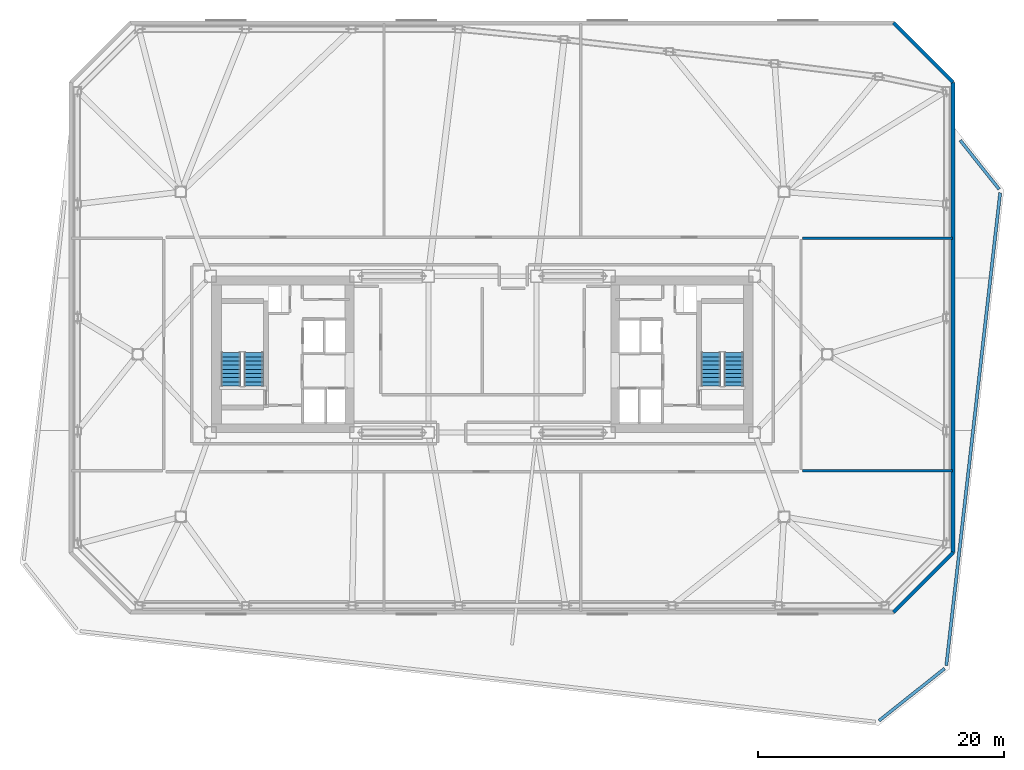
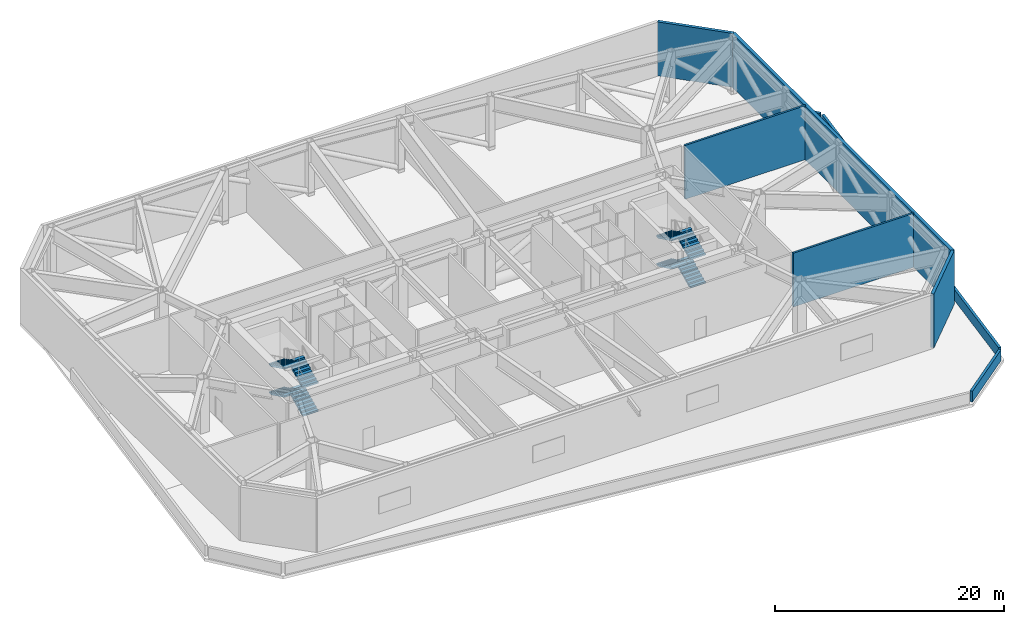
# One storey, part 6 of 12: 8 stair flights, 8 walls, 2 elements without a shape of their own.
"""IFC4 building model written with IfcOpenShell, lengths in metres."""

from ifc_helpers import new_model, si_unit, direction, frame, frame_2d, origin, place, context, subcontext, project, spatial, polyline, rectangle, outline, extrude, material, layer, layer_set, type_object, element, aggregate, save


model = new_model("IFC4")

# Units and contexts
model_context = context("Model", 3, precision=1e-05, world=origin(), true_north=direction((0.0, 1.0)))
body_context = subcontext(model_context, "Body", "Model", "MODEL_VIEW")
ifc_project = project(units=[si_unit("LENGTHUNIT", "METRE"), si_unit("AREAUNIT", "SQUARE_METRE"), si_unit("VOLUMEUNIT", "CUBIC_METRE"), si_unit("PLANEANGLEUNIT", "RADIAN"), si_unit("MASSUNIT", "GRAM", prefix="KILO")], contexts=[model_context])

# Site, building, storey
site_placement = place(None, origin())
site = spatial("IfcSite", under=ifc_project, at=site_placement, CompositionType="ELEMENT")
building_placement = place(site_placement, origin())
building = spatial("IfcBuilding", under=site, at=building_placement, Name="Tavrogorsk Clinical Tower", CompositionType="ELEMENT")
storey_placement = place(building_placement, frame((0.0, 0.0, 146.199951171875)))
storey = spatial("IfcBuildingStorey", under=building, at=storey_placement, Name="L33", CompositionType="ELEMENT", Elevation=146.199951171875)

# Walls
ifc_material_1 = material(Name="Concrete B60", Category="concrete")
ifc_layer_1 = layer(ifc_material_1, 0.199951171875)
ifc_layer_set_1 = layer_set([ifc_layer_1], Name="Concrete B60")
wall_type_1 = type_object("IfcWallType", Name="CoreFireWall_200", PredefinedType="SOLIDWALL", material=ifc_layer_set_1)
for number, where, z_axis, x_axis, name in (
    (1, (25.985107421875, -9.449951171875, 0.0), (0.0, 0.0, 1.0), (1.0, 0.0, 0.0), "L33 Refuge & Plant Fire Wall 2"),
    (2, (25.985107421875, 9.449951171875, 0.0), (0.0, 0.0, 1.0), (1.0, 0.0, 0.0), "L33 Refuge & Plant Fire Wall 4"),
):
    element("IfcWall", number, at=place(storey_placement, frame(where, z_axis=z_axis, x_axis=x_axis)), inside=storey, type_object=wall_type_1, Name=name, PredefinedType="SOLIDWALL", context=body_context, shape_type="SweptSolid", body=[
        extrude(rectangle(XDim=12.19482421875, YDim=0.199951171875, at=frame_2d((6.097412109375, 0.0))), origin(), (0.0, 0.0, 1.0), 5.739990234375),
    ])
ifc_material_2 = material(Name="Precast concrete B45 acoustic plenum wall", Category="concrete")
ifc_layer_2 = layer(ifc_material_2, 0.320068359375)
ifc_layer_set_2 = layer_set([ifc_layer_2], Name="Precast concrete B45 acoustic plenum wall")
wall_type_2 = type_object("IfcWallType", Name="PlantLouvreWall_320", PredefinedType="STANDARD", material=ifc_layer_set_2)
wall_1_placement = place(storey_placement, frame((38.239990234375, -16.10009765625, 0.0), z_axis=(0.0, 0.0, 1.0), x_axis=(0.0, 1.0, 0.0)))
element("IfcWall", 3, at=wall_1_placement, inside=storey, type_object=wall_type_2, Name="L33 E Pleated Limestone Wing Wall", PredefinedType="STANDARD", context=body_context, shape_type="SweptSolid", body=[
    extrude(rectangle(XDim=38.2001953125, YDim=0.320068359375, at=frame_2d((19.10009765625, 0.0))), origin(), (0.0, 0.0, 1.0), 5.739990234375),
])
ifc_material_3 = material(Name="Concrete B60", Category="concrete")
ifc_layer_3 = layer(ifc_material_3, 0.25)
ifc_layer_set_3 = layer_set([ifc_layer_3], Name="Concrete B60")
wall_type_3 = type_object("IfcWallType", Name="RoofParapetWall_250", PredefinedType="PARAPET", material=ifc_layer_set_3)
wall_2_placement = place(storey_placement, frame((38.819580078125, 17.3916015625, 0.0), z_axis=(0.0, 0.0, 1.0), x_axis=(0.622536938406, -0.782590416706, 0.0)))
element("IfcWall", 4, at=wall_2_placement, inside=storey, type_object=wall_type_3, Name="L33 Setback Coping Parapet 3", PredefinedType="PARAPET", context=body_context, shape_type="SweptSolid", body=[
    extrude(rectangle(XDim=5.08251953125, YDim=0.25, at=frame_2d((2.541259765625, 0.0))), origin(), (0.0, 0.0, 1.0), 1.150146484375),
])
wall_3_placement = place(storey_placement, frame((42.065185546875, 13.1298828125, 0.0), z_axis=(0.0, 0.0, 1.0), x_axis=(-0.113207191428, -0.993571402471, 0.0)))
element("IfcWall", 5, at=wall_3_placement, inside=storey, type_object=wall_type_3, Name="L33 Setback Coping Parapet 4", PredefinedType="PARAPET", context=body_context, shape_type="SweptSolid", body=[
    extrude(rectangle(XDim=38.648193359375, YDim=0.25, at=frame_2d((19.32421875, 0.0))), origin(), (0.0, 0.0, 1.0), 1.150146484375),
])
wall_4_placement = place(storey_placement, frame((37.546630859375, -25.5283203125, 0.0), z_axis=(0.0, 0.0, 1.0), x_axis=(-0.782602643849, -0.622521567369, 0.0)))
element("IfcWall", 6, at=wall_4_placement, inside=storey, type_object=wall_type_3, Name="L33 Setback Coping Parapet 5", PredefinedType="PARAPET", context=body_context, shape_type="SweptSolid", body=[
    extrude(rectangle(XDim=6.802001953125, YDim=0.25, at=frame_2d((3.40087890625, 0.0))), origin(), (0.0, 0.0, 1.0), 1.150146484375),
])
ifc_material_4 = material(Name="Precast concrete B45 with mineral wool", Category="concrete")
ifc_layer_4 = layer(ifc_material_4, 0.300048828125)
ifc_layer_set_4 = layer_set([ifc_layer_4], Name="Precast concrete B45 with mineral wool")
wall_type_4 = type_object("IfcWallType", Name="SpandrelBackWall_300", PredefinedType="STANDARD", material=ifc_layer_set_4)
for number, where, z_axis, x_axis, name in (
    (7, (33.39990234375, -20.93994140625, 0.0), (0.0, 0.0, 1.0), (0.707124615126, 0.707088946797, 0.0), "L33 Chamfered Corner Wall 1"),
    (8, (38.239990234375, 22.10009765625, 0.0), (0.0, 0.0, 1.0), (-0.707124615126, 0.707088946797, 0.0), "L33 Chamfered Corner Wall 2"),
):
    element("IfcWall", number, at=place(storey_placement, frame(where, z_axis=z_axis, x_axis=x_axis)), inside=storey, type_object=wall_type_4, Name=name, PredefinedType="STANDARD", context=body_context, shape_type="SweptSolid", body=[
        extrude(rectangle(XDim=6.8447265625, YDim=0.300048828125, at=frame_2d((3.42236328125, 0.0))), origin(), (0.0, 0.0, 1.0), 5.739990234375),
    ])

# Stair, stair flights
ifc_material_5 = material(Name="Concrete B60", Category="concrete")
stair_type = type_object("IfcStairType", Name="CoreStairAssembly", PredefinedType="HALF_TURN_STAIR", material=ifc_material_5)
stair_1_placement = place(storey_placement, origin())
stair_1 = element("IfcStair", 9, at=stair_1_placement, inside=storey, type_object=stair_type, Name="L33 ST-W", PredefinedType="HALF_TURN_STAIR")
ifc_material_6 = material(Name="Concrete B60", Category="concrete")
stair_flight_type = type_object("IfcStairFlightType", Name="CoreStairFlight", PredefinedType="STRAIGHT", material=ifc_material_6)
stair_flight_1_placement = place(storey_placement, frame((-18.574951171875, -2.574951171875, 0.0), z_axis=(0.0, 0.0, 1.0), x_axis=(0.0, 1.0, 0.0)))
stair_flight_1 = element("IfcStairFlight", 10, at=stair_flight_1_placement, type_object=stair_flight_type, Name="ST-W flight 1", NumberOfRisers=9, NumberOfTreads=8, PredefinedType="STRAIGHT", RiserHeight=0.166666667, TreadLength=0.34, context=body_context, shape_type="SweptSolid", body=[
    extrude(outline(polyline([(0.0, 0.0), (0.0, 0.166748046875), (0.340087890625, 0.166748046875), (0.340087890625, 0.333251953125), (0.679931640625, 0.333251953125), (0.679931640625, 0.5), (1.02001953125, 0.5), (1.02001953125, 0.666748046875), (1.360107421875, 0.666748046875), (1.360107421875, 0.833251953125), (1.699951171875, 0.833251953125), (1.699951171875, 1.0), (2.0400390625, 1.0), (2.0400390625, 1.166748046875), (2.3798828125, 1.166748046875), (2.3798828125, 1.333251953125), (2.719970703125, 1.333251953125), (2.719970703125, 1.5), (2.719970703125, 1.16650390625), (0.340576171875, 0.0), (0.0, 0.0)])), frame((0.0, 0.77490234375, 0.0), z_axis=(0.0, -1.0, 0.0), x_axis=(1.0, 0.0, 0.0)), (0.0, 0.0, 1.0), 1.550048828125),
])
stair_flight_2_placement = place(storey_placement, frame((-20.425048828125, 0.14501953125, 1.5), z_axis=(0.0, 0.0, 1.0), x_axis=(0.0, -1.0, 0.0)))
stair_flight_2 = element("IfcStairFlight", 11, at=stair_flight_2_placement, type_object=stair_flight_type, Name="ST-W flight 2", NumberOfRisers=9, NumberOfTreads=8, PredefinedType="STRAIGHT", RiserHeight=0.166666667, TreadLength=0.34, context=body_context, shape_type="SweptSolid", body=[
    extrude(outline(polyline([(0.0, 0.0), (0.0, 0.166748046875), (0.340087890625, 0.166748046875), (0.340087890625, 0.333251953125), (0.679931640625, 0.333251953125), (0.679931640625, 0.5), (1.02001953125, 0.5), (1.02001953125, 0.666748046875), (1.360107421875, 0.666748046875), (1.360107421875, 0.833251953125), (1.699951171875, 0.833251953125), (1.699951171875, 1.0), (2.0400390625, 1.0), (2.0400390625, 1.166748046875), (2.3798828125, 1.166748046875), (2.3798828125, 1.333251953125), (2.719970703125, 1.333251953125), (2.719970703125, 1.5), (2.719970703125, 1.16650390625), (0.340576171875, 0.0), (0.0, 0.0)])), frame((0.0, 0.77490234375, 0.0), z_axis=(0.0, -1.0, 0.0), x_axis=(1.0, 0.0, 0.0)), (0.0, 0.0, 1.0), 1.550048828125),
])
stair_flight_3_placement = place(storey_placement, frame((-18.574951171875, -2.574951171875, 3.0), z_axis=(0.0, 0.0, 1.0), x_axis=(0.0, 1.0, 0.0)))
stair_flight_3 = element("IfcStairFlight", 12, at=stair_flight_3_placement, type_object=stair_flight_type, Name="ST-W flight 3", NumberOfRisers=9, NumberOfTreads=8, PredefinedType="STRAIGHT", RiserHeight=0.166666667, TreadLength=0.34, context=body_context, shape_type="SweptSolid", body=[
    extrude(outline(polyline([(0.0, 0.0), (0.0, 0.166748046875), (0.340087890625, 0.166748046875), (0.340087890625, 0.333251953125), (0.679931640625, 0.333251953125), (0.679931640625, 0.5), (1.02001953125, 0.5), (1.02001953125, 0.666748046875), (1.360107421875, 0.666748046875), (1.360107421875, 0.833251953125), (1.699951171875, 0.833251953125), (1.699951171875, 1.0), (2.0400390625, 1.0), (2.0400390625, 1.166748046875), (2.3798828125, 1.166748046875), (2.3798828125, 1.333251953125), (2.719970703125, 1.333251953125), (2.719970703125, 1.5), (2.719970703125, 1.16650390625), (0.340576171875, 0.0), (0.0, 0.0)])), frame((0.0, 0.77490234375, 0.0), z_axis=(0.0, -1.0, 0.0), x_axis=(1.0, 0.0, 0.0)), (0.0, 0.0, 1.0), 1.550048828125),
])
stair_flight_4_placement = place(storey_placement, frame((-20.425048828125, 0.14501953125, 4.5), z_axis=(0.0, 0.0, 1.0), x_axis=(0.0, -1.0, 0.0)))
stair_flight_4 = element("IfcStairFlight", 13, at=stair_flight_4_placement, type_object=stair_flight_type, Name="ST-W flight 4", NumberOfRisers=9, NumberOfTreads=8, PredefinedType="STRAIGHT", RiserHeight=0.166666667, TreadLength=0.34, context=body_context, shape_type="SweptSolid", body=[
    extrude(outline(polyline([(0.0, 0.0), (0.0, 0.166748046875), (0.340087890625, 0.166748046875), (0.340087890625, 0.333251953125), (0.679931640625, 0.333251953125), (0.679931640625, 0.5), (1.02001953125, 0.5), (1.02001953125, 0.666748046875), (1.360107421875, 0.666748046875), (1.360107421875, 0.833251953125), (1.699951171875, 0.833251953125), (1.699951171875, 1.0), (2.0400390625, 1.0), (2.0400390625, 1.166748046875), (2.3798828125, 1.166748046875), (2.3798828125, 1.333251953125), (2.719970703125, 1.333251953125), (2.719970703125, 1.5), (2.719970703125, 1.16650390625), (0.340576171875, 0.0), (0.0, 0.0)])), frame((0.0, 0.77490234375, 0.0), z_axis=(0.0, -1.0, 0.0), x_axis=(1.0, 0.0, 0.0)), (0.0, 0.0, 1.0), 1.550048828125),
])
aggregate(stair_1, [stair_flight_1, stair_flight_2, stair_flight_3, stair_flight_4])

stair_2_placement = place(storey_placement, origin())
stair_2 = element("IfcStair", 14, at=stair_2_placement, inside=storey, type_object=stair_type, Name="L33 ST-E", PredefinedType="HALF_TURN_STAIR")
stair_flight_5_placement = place(storey_placement, frame((20.425048828125, -2.574951171875, 0.0), z_axis=(0.0, 0.0, 1.0), x_axis=(0.0, 1.0, 0.0)))
stair_flight_5 = element("IfcStairFlight", 15, at=stair_flight_5_placement, type_object=stair_flight_type, Name="ST-E flight 1", NumberOfRisers=9, NumberOfTreads=8, PredefinedType="STRAIGHT", RiserHeight=0.166666667, TreadLength=0.34, context=body_context, shape_type="SweptSolid", body=[
    extrude(outline(polyline([(0.0, 0.0), (0.0, 0.166748046875), (0.340087890625, 0.166748046875), (0.340087890625, 0.333251953125), (0.679931640625, 0.333251953125), (0.679931640625, 0.5), (1.02001953125, 0.5), (1.02001953125, 0.666748046875), (1.360107421875, 0.666748046875), (1.360107421875, 0.833251953125), (1.699951171875, 0.833251953125), (1.699951171875, 1.0), (2.0400390625, 1.0), (2.0400390625, 1.166748046875), (2.3798828125, 1.166748046875), (2.3798828125, 1.333251953125), (2.719970703125, 1.333251953125), (2.719970703125, 1.5), (2.719970703125, 1.16650390625), (0.340576171875, 0.0), (0.0, 0.0)])), frame((0.0, 0.77490234375, 0.0), z_axis=(0.0, -1.0, 0.0), x_axis=(1.0, 0.0, 0.0)), (0.0, 0.0, 1.0), 1.550048828125),
])
stair_flight_6_placement = place(storey_placement, frame((18.574951171875, 0.14501953125, 1.5), z_axis=(0.0, 0.0, 1.0), x_axis=(0.0, -1.0, 0.0)))
stair_flight_6 = element("IfcStairFlight", 16, at=stair_flight_6_placement, type_object=stair_flight_type, Name="ST-E flight 2", NumberOfRisers=9, NumberOfTreads=8, PredefinedType="STRAIGHT", RiserHeight=0.166666667, TreadLength=0.34, context=body_context, shape_type="SweptSolid", body=[
    extrude(outline(polyline([(0.0, 0.0), (0.0, 0.166748046875), (0.340087890625, 0.166748046875), (0.340087890625, 0.333251953125), (0.679931640625, 0.333251953125), (0.679931640625, 0.5), (1.02001953125, 0.5), (1.02001953125, 0.666748046875), (1.360107421875, 0.666748046875), (1.360107421875, 0.833251953125), (1.699951171875, 0.833251953125), (1.699951171875, 1.0), (2.0400390625, 1.0), (2.0400390625, 1.166748046875), (2.3798828125, 1.166748046875), (2.3798828125, 1.333251953125), (2.719970703125, 1.333251953125), (2.719970703125, 1.5), (2.719970703125, 1.16650390625), (0.340576171875, 0.0), (0.0, 0.0)])), frame((0.0, 0.77490234375, 0.0), z_axis=(0.0, -1.0, 0.0), x_axis=(1.0, 0.0, 0.0)), (0.0, 0.0, 1.0), 1.550048828125),
])
stair_flight_7_placement = place(storey_placement, frame((20.425048828125, -2.574951171875, 3.0), z_axis=(0.0, 0.0, 1.0), x_axis=(0.0, 1.0, 0.0)))
stair_flight_7 = element("IfcStairFlight", 17, at=stair_flight_7_placement, type_object=stair_flight_type, Name="ST-E flight 3", NumberOfRisers=9, NumberOfTreads=8, PredefinedType="STRAIGHT", RiserHeight=0.166666667, TreadLength=0.34, context=body_context, shape_type="SweptSolid", body=[
    extrude(outline(polyline([(0.0, 0.0), (0.0, 0.166748046875), (0.340087890625, 0.166748046875), (0.340087890625, 0.333251953125), (0.679931640625, 0.333251953125), (0.679931640625, 0.5), (1.02001953125, 0.5), (1.02001953125, 0.666748046875), (1.360107421875, 0.666748046875), (1.360107421875, 0.833251953125), (1.699951171875, 0.833251953125), (1.699951171875, 1.0), (2.0400390625, 1.0), (2.0400390625, 1.166748046875), (2.3798828125, 1.166748046875), (2.3798828125, 1.333251953125), (2.719970703125, 1.333251953125), (2.719970703125, 1.5), (2.719970703125, 1.16650390625), (0.340576171875, 0.0), (0.0, 0.0)])), frame((0.0, 0.77490234375, 0.0), z_axis=(0.0, -1.0, 0.0), x_axis=(1.0, 0.0, 0.0)), (0.0, 0.0, 1.0), 1.550048828125),
])
stair_flight_8_placement = place(storey_placement, frame((18.574951171875, 0.14501953125, 4.5), z_axis=(0.0, 0.0, 1.0), x_axis=(0.0, -1.0, 0.0)))
stair_flight_8 = element("IfcStairFlight", 18, at=stair_flight_8_placement, type_object=stair_flight_type, Name="ST-E flight 4", NumberOfRisers=9, NumberOfTreads=8, PredefinedType="STRAIGHT", RiserHeight=0.166666667, TreadLength=0.34, context=body_context, shape_type="SweptSolid", body=[
    extrude(outline(polyline([(0.0, 0.0), (0.0, 0.166748046875), (0.340087890625, 0.166748046875), (0.340087890625, 0.333251953125), (0.679931640625, 0.333251953125), (0.679931640625, 0.5), (1.02001953125, 0.5), (1.02001953125, 0.666748046875), (1.360107421875, 0.666748046875), (1.360107421875, 0.833251953125), (1.699951171875, 0.833251953125), (1.699951171875, 1.0), (2.0400390625, 1.0), (2.0400390625, 1.166748046875), (2.3798828125, 1.166748046875), (2.3798828125, 1.333251953125), (2.719970703125, 1.333251953125), (2.719970703125, 1.5), (2.719970703125, 1.16650390625), (0.340576171875, 0.0), (0.0, 0.0)])), frame((0.0, 0.77490234375, 0.0), z_axis=(0.0, -1.0, 0.0), x_axis=(1.0, 0.0, 0.0)), (0.0, 0.0, 1.0), 1.550048828125),
])
aggregate(stair_2, [stair_flight_5, stair_flight_6, stair_flight_7, stair_flight_8])

save(model, "model.ifc")
